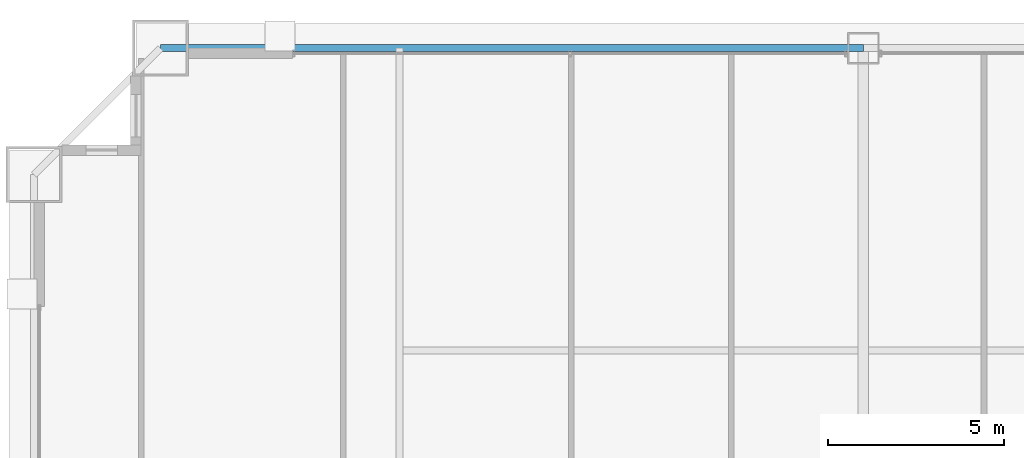
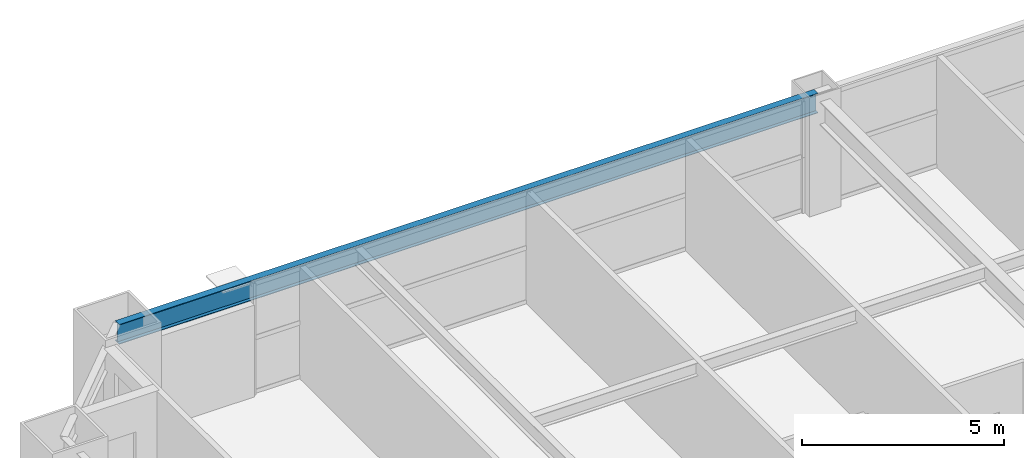
# One storey, part 23 of 38: 1 beam.
"""IFC4 building model written with IfcOpenShell, lengths in metres."""

from ifc_helpers import new_model, si_unit, direction, frame, origin, origin_2d, place, context, subcontext, project, spatial, i_section, extrude, source, transform, mapped, material, material_profile, profile_set, type_object, element, save


model = new_model("IFC4")

# Units and contexts
model_context = context("Model", 3, precision=1e-05, world=origin(), true_north=direction((0.0, 1.0)))
body_context = subcontext(model_context, "Body", "Model", "MODEL_VIEW")
ifc_project = project(units=[si_unit("LENGTHUNIT", "METRE"), si_unit("AREAUNIT", "SQUARE_METRE"), si_unit("VOLUMEUNIT", "CUBIC_METRE"), si_unit("PLANEANGLEUNIT", "RADIAN"), si_unit("MASSUNIT", "GRAM", prefix="KILO"), si_unit("THERMODYNAMICTEMPERATUREUNIT", "KELVIN"), si_unit("POWERUNIT", "WATT")], contexts=[model_context])

# Site, building, storey
site_placement = place(None, origin())
site = spatial("IfcSite", under=ifc_project, at=site_placement, CompositionType="ELEMENT")
building_placement = place(site_placement, origin())
building = spatial("IfcBuilding", under=site, at=building_placement, Name="Yuzanri Waterfront Tower", CompositionType="ELEMENT")
storey_placement = place(building_placement, frame((0.0, 0.0, 90.199951171875)))
storey = spatial("IfcBuildingStorey", under=building, at=storey_placement, Name="L23", CompositionType="ELEMENT", Elevation=90.199951171875)

# Beam
ifc_material = material(Name="Steel Q355B", Category="steel")
ifc_material_profile = material_profile(ifc_material, i_section(OverallWidth=0.199951171875, OverallDepth=0.60009765625, WebThickness=0.010986328125, FlangeThickness=0.01708984375, at=origin_2d()), Name="HN 600x200x11x17")
ifc_profile_set = profile_set([ifc_material_profile], Name="Steel Q355B")
beam_type = type_object("IfcBeamType", Name="Perimeter Spandrel Q355B HN 600x200", PredefinedType="SPANDREL", material=ifc_profile_set)
shared_shape = source(origin(), body_context, "Body", "SweptSolid", [
    extrude(i_section(OverallWidth=0.199951171875, OverallDepth=0.60009765625, WebThickness=0.010986328125, FlangeThickness=0.01708984375, at=origin_2d()), origin(), (0.0, 0.0, 1.0), 20.0),
])
beam_placement = place(storey_placement, frame((37.0, 49.39990234375, 3.080078125), z_axis=(-1.0, 0.0, 0.0), x_axis=(0.0, -1.0, 0.0)))
element("IfcBeam", 1, at=beam_placement, inside=storey, type_object=beam_type, Name="L23 Perimeter Spandrel N2-N1", PredefinedType="SPANDREL", context=body_context, shape_type="MappedRepresentation", body=[
    mapped(shared_shape, transform((0.0, 0.0, 0.0), scale=1.0)),
])

save(model, "model.ifc")
